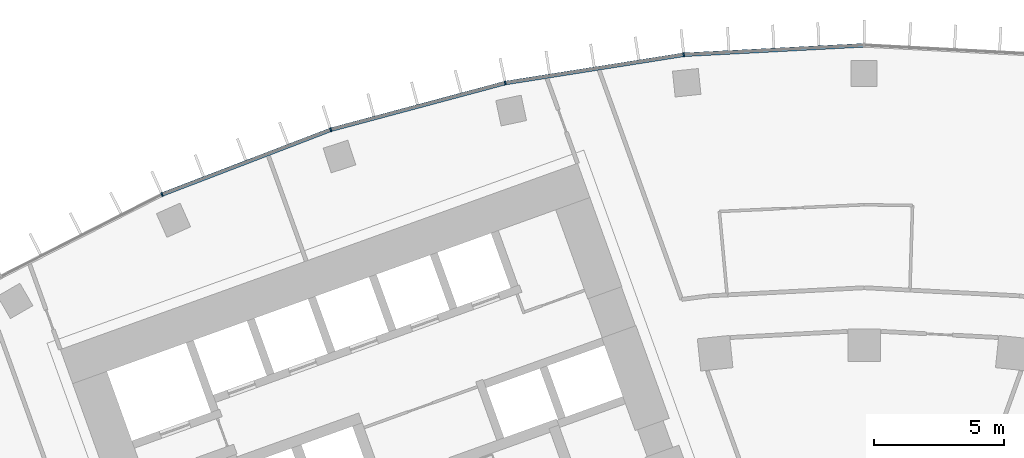
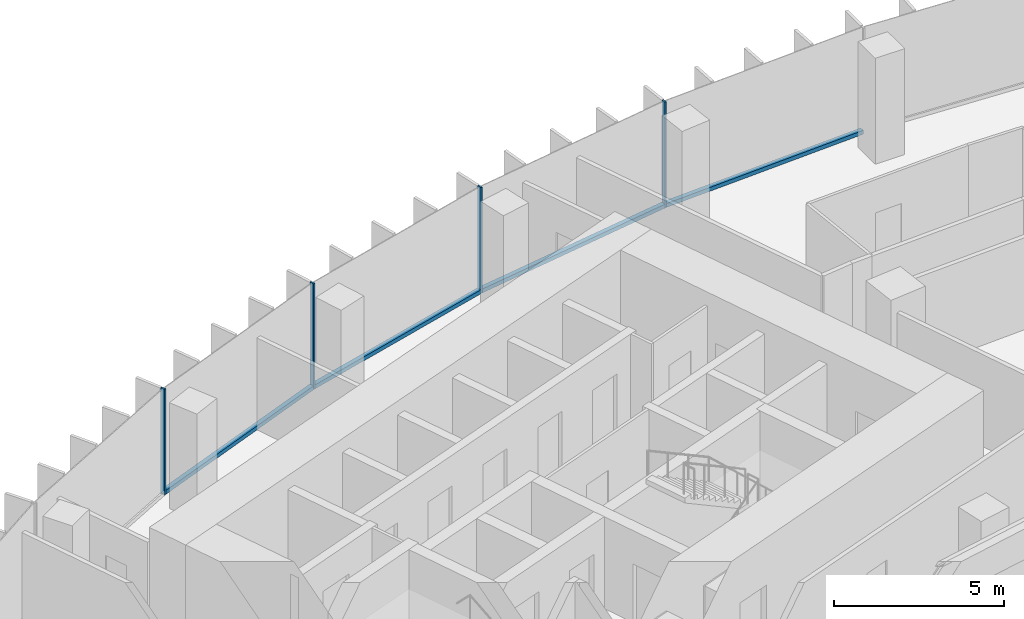
# One storey, part 7 of 21: 8 members, 1 element without a shape of its own.
"""IFC4 building model written with IfcOpenShell, lengths in metres."""

from ifc_helpers import new_model, si_unit, direction, frame, origin, origin_2d, place, context, subcontext, project, spatial, rectangle, extrude, material, layer, layer_set, material_profile, profile_set, type_object, element, aggregate, save


model = new_model("IFC4")

# Units and contexts
model_context = context("Model", 3, precision=1e-05, world=origin(), true_north=direction((0.0, 1.0)))
body_context = subcontext(model_context, "Body", "Model", "MODEL_VIEW")
ifc_project = project(units=[si_unit("LENGTHUNIT", "METRE"), si_unit("AREAUNIT", "SQUARE_METRE"), si_unit("VOLUMEUNIT", "CUBIC_METRE"), si_unit("PLANEANGLEUNIT", "RADIAN"), si_unit("MASSUNIT", "GRAM", prefix="KILO")], contexts=[model_context])

# Site, building, storey
site_placement = place(None, origin())
site = spatial("IfcSite", under=ifc_project, at=site_placement, CompositionType="ELEMENT")
building_placement = place(site_placement, origin())
building = spatial("IfcBuilding", under=site, at=building_placement, Name="Stone Belt Terrace Tower", CompositionType="ELEMENT")
storey_placement = place(building_placement, frame((0.0, 0.0, 189.60009765625)))
storey = spatial("IfcBuildingStorey", under=building, at=storey_placement, Name="L46", CompositionType="ELEMENT", Elevation=189.60009765625)

# Curtain wall, members
ifc_material = material(Name="Aluminium 6063-T6 anodised frame", Category="aluminium")
ifc_layer = layer(ifc_material, 0.14990234375)
ifc_layer_set = layer_set([ifc_layer], Name="CW-A unitised convex-face curtain wall")
curtain_wall_type = type_object("IfcCurtainWallType", Name="CW-A unitised convex-face curtain wall", PredefinedType="NOTDEFINED", material=ifc_layer_set)
curtain_wall_placement = place(storey_placement, origin())
curtain_wall = element("IfcCurtainWall", 1, at=curtain_wall_placement, inside=storey, type_object=curtain_wall_type, Name="CW-A convex face L46", PredefinedType="NOTDEFINED")
ifc_material_profile_1 = material_profile(ifc_material, rectangle(XDim=0.14990234375, YDim=0.06005859375, at=origin_2d()), Name="Aluminium 6063-T6 60x150")
ifc_profile_set_1 = profile_set([ifc_material_profile_1], Name="Aluminium 6063-T6 anodised frame")
member_type_1 = type_object("IfcMemberType", Name="CW-A mullion 60 x 150", PredefinedType="MULLION", material=ifc_profile_set_1)
member_1_placement = place(storey_placement, frame((-6.958984375, 66.21044921875, 0.0), z_axis=(0.0, 0.0, 1.0), x_axis=(0.104528463268, -0.994521895368, 0.0)))
member_1 = element("IfcMember", 2, at=member_1_placement, type_object=member_type_1, Name="CW-A mullion 9", PredefinedType="MULLION", context=body_context, shape_type="SweptSolid", body=[
    extrude(rectangle(XDim=0.14990234375, YDim=0.06005859375, at=origin_2d()), origin(), (0.0, 0.0, 1.0), 3.7998046875),
])
member_2_placement = place(storey_placement, frame((-13.841796875, 65.120361328125, 0.0), z_axis=(0.0, 0.0, 1.0), x_axis=(0.207911690818, -0.978147600734, 0.0)))
member_2 = element("IfcMember", 3, at=member_2_placement, type_object=member_type_1, Name="CW-A mullion 10", PredefinedType="MULLION", context=body_context, shape_type="SweptSolid", body=[
    extrude(rectangle(XDim=0.14990234375, YDim=0.06005859375, at=origin_2d()), origin(), (0.0, 0.0, 1.0), 3.7998046875),
])
member_3_placement = place(storey_placement, frame((-20.57275390625, 63.316650390625, 0.0), z_axis=(0.0, 0.0, 1.0), x_axis=(0.309016994375, -0.951056516295, 0.0)))
member_3 = element("IfcMember", 4, at=member_3_placement, type_object=member_type_1, Name="CW-A mullion 11", PredefinedType="MULLION", context=body_context, shape_type="SweptSolid", body=[
    extrude(rectangle(XDim=0.14990234375, YDim=0.06005859375, at=origin_2d()), origin(), (0.0, 0.0, 1.0), 3.7998046875),
])
member_4_placement = place(storey_placement, frame((-27.07861328125, 60.8193359375, 0.0), z_axis=(0.0, 0.0, 1.0), x_axis=(0.406736643076, -0.913545457643, 0.0)))
member_4 = element("IfcMember", 5, at=member_4_placement, type_object=member_type_1, Name="CW-A mullion 12", PredefinedType="MULLION", context=body_context, shape_type="SweptSolid", body=[
    extrude(rectangle(XDim=0.14990234375, YDim=0.06005859375, at=origin_2d()), origin(), (0.0, 0.0, 1.0), 3.7998046875),
])
ifc_material_profile_2 = material_profile(ifc_material, rectangle(XDim=0.14990234375, YDim=0.139892578125, at=origin_2d()), Name="Aluminium 6063-T6 150x140")
ifc_profile_set_2 = profile_set([ifc_material_profile_2], Name="Aluminium 6063-T6 anodised frame")
member_type_2 = type_object("IfcMemberType", Name="CW-A transom 140 x 150", PredefinedType="USERDEFINED", material=ifc_profile_set_2)
member_5_placement = place(storey_placement, frame((-0.033935546875, 66.5732421875, 0.06982421875), z_axis=(-0.998630019135, -0.052326712899, 0.0), x_axis=(0.052326712899, -0.998630019135, 0.0)))
member_5 = element("IfcMember", 6, at=member_5_placement, type_object=member_type_2, Name="CW-A transom 8.1", ObjectType="TRANSOM", PredefinedType="USERDEFINED", context=body_context, shape_type="SweptSolid", body=[
    extrude(rectangle(XDim=0.14990234375, YDim=0.139892578125, at=origin_2d()), origin(), (0.0, 0.0, 1.0), 6.900634765625),
])
member_6_placement = place(storey_placement, frame((-6.992431640625, 66.205078125, 0.06982421875), z_axis=(-0.987687120531, -0.156442168027, 0.0), x_axis=(0.156442168027, -0.987687120531, 0.0)))
member_6 = element("IfcMember", 7, at=member_6_placement, type_object=member_type_2, Name="CW-A transom 9.1", ObjectType="TRANSOM", PredefinedType="USERDEFINED", context=body_context, shape_type="SweptSolid", body=[
    extrude(rectangle(XDim=0.14990234375, YDim=0.139892578125, at=origin_2d()), origin(), (0.0, 0.0, 1.0), 6.90087890625),
])
member_7_placement = place(storey_placement, frame((-13.87451171875, 65.111572265625, 0.06982421875), z_axis=(-0.965921835863, -0.258833937117, 0.0), x_axis=(0.258833937117, -0.965921835863, 0.0)))
member_7 = element("IfcMember", 8, at=member_7_placement, type_object=member_type_2, Name="CW-A transom 10.1", ObjectType="TRANSOM", PredefinedType="USERDEFINED", context=body_context, shape_type="SweptSolid", body=[
    extrude(rectangle(XDim=0.14990234375, YDim=0.139892578125, at=origin_2d()), origin(), (0.0, 0.0, 1.0), 6.900634765625),
])
member_8_placement = place(storey_placement, frame((-20.6044921875, 63.304443359375, 0.06982421875), z_axis=(-0.933585210269, -0.358355487146, 0.0), x_axis=(0.358355487146, -0.933585210269, 0.0)))
member_8 = element("IfcMember", 9, at=member_8_placement, type_object=member_type_2, Name="CW-A transom 11.1", ObjectType="TRANSOM", PredefinedType="USERDEFINED", context=body_context, shape_type="SweptSolid", body=[
    extrude(rectangle(XDim=0.14990234375, YDim=0.139892578125, at=origin_2d()), origin(), (0.0, 0.0, 1.0), 6.900634765625),
])
aggregate(curtain_wall, [member_1, member_2, member_3, member_4, member_5, member_6, member_7, member_8])

save(model, "model.ifc")
